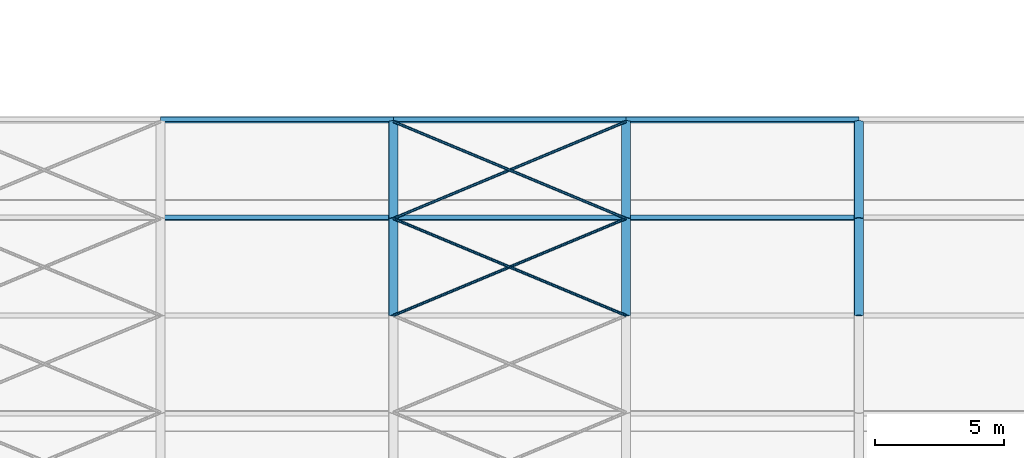
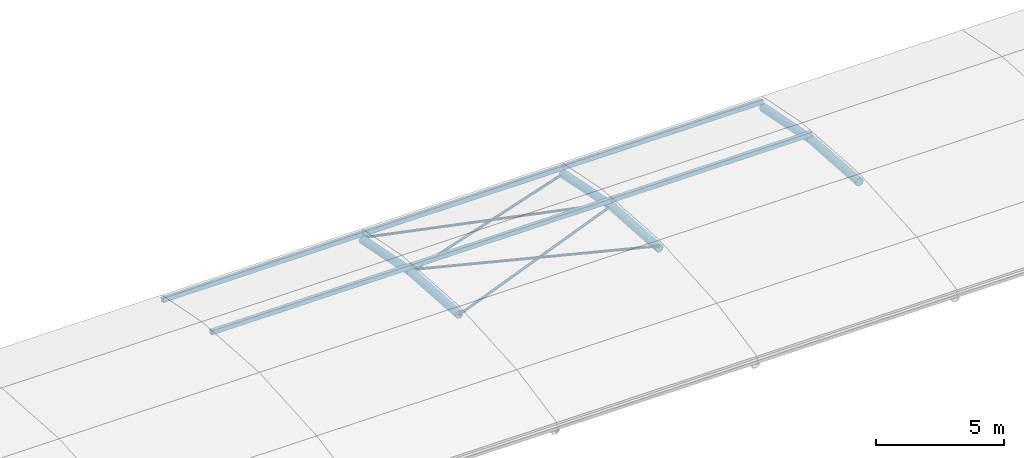
# One storey, part 8 of 43: 16 members.
"""IFC4 building model written with IfcOpenShell, lengths in metres."""

from ifc_helpers import new_model, si_unit, direction, frame, origin, origin_2d, place, context, subcontext, project, spatial, hollow_rectangle, hollow_circle, extrude, material, material_profile, profile_set, type_object, element, save


model = new_model("IFC4")

# Units and contexts
model_context = context("Model", 3, precision=1e-05, world=origin(), true_north=direction((0.0, 1.0)))
body_context = subcontext(model_context, "Body", "Model", "MODEL_VIEW")
ifc_project = project(units=[si_unit("LENGTHUNIT", "METRE"), si_unit("AREAUNIT", "SQUARE_METRE"), si_unit("VOLUMEUNIT", "CUBIC_METRE"), si_unit("PLANEANGLEUNIT", "RADIAN"), si_unit("MASSUNIT", "GRAM", prefix="KILO")], contexts=[model_context])

# Site, building, storey
site_placement = place(None, origin())
site = spatial("IfcSite", under=ifc_project, at=site_placement, CompositionType="ELEMENT")
building_placement = place(site_placement, origin())
building = spatial("IfcBuilding", under=site, at=building_placement, Name="Baradari Gate Terminus", CompositionType="ELEMENT")
storey_placement = place(building_placement, frame((0.0, 0.0, 20.10009765625)))
storey = spatial("IfcBuildingStorey", under=building, at=storey_placement, Name="L04", CompositionType="ELEMENT", Elevation=20.10009765625)

# Members
ifc_material_1 = material(Name="Steel S355", Category="steel")
ifc_material_profile_1 = material_profile(ifc_material_1, hollow_rectangle(XDim=0.199951171875, YDim=0.199951171875, WallThickness=0.008056640625, InnerFilletRadius=0.008056640625, OuterFilletRadius=0.01611328125, at=origin_2d()), Name="SHS 200x200x8")
ifc_profile_set_1 = profile_set([ifc_material_profile_1], Name="Steel S355")
member_type_1 = type_object("IfcMemberType", Name="Shed purlin SHS 200x200x8", PredefinedType="PURLIN", material=ifc_profile_set_1)
for number, where, z_axis, x_axis, name in (
    (1, (108.0, 62.284912109375, 0.75), (1.0, 0.0, 0.0), (0.0, 0.99130302961, -0.131599025396), "TR/L04/B117-PU07"),
    (2, (108.0, 66.068115234375, -0.006591796875), (1.0, 0.0, 0.0), (0.0, 0.966499648767, -0.256667935149), "TR/L04/B117-PU08"),
    (3, (117.0, 62.284912109375, 0.75), (1.0, 0.0, 0.0), (0.0, 0.99130302961, -0.131599025396), "TR/L04/B126-PU07"),
    (4, (117.0, 66.068115234375, -0.006591796875), (1.0, 0.0, 0.0), (0.0, 0.966499648767, -0.256667935149), "TR/L04/B126-PU08"),
    (5, (126.0, 62.284912109375, 0.75), (1.0, 0.0, 0.0), (0.0, 0.99130302961, -0.131599025396), "TR/L04/B135-PU07"),
    (6, (126.0, 66.068115234375, -0.006591796875), (1.0, 0.0, 0.0), (0.0, 0.966499648767, -0.256667935149), "TR/L04/B135-PU08"),
):
    element("IfcMember", number, at=place(storey_placement, frame(where, z_axis=z_axis, x_axis=x_axis)), inside=storey, type_object=member_type_1, Name=name, PredefinedType="PURLIN", context=body_context, shape_type="SweptSolid", body=[
        extrude(hollow_rectangle(XDim=0.199951171875, YDim=0.199951171875, WallThickness=0.008056640625, InnerFilletRadius=0.008056640625, OuterFilletRadius=0.01611328125, at=origin_2d()), origin(), (0.0, 0.0, 1.0), 9.0),
    ])
ifc_material_2 = material(Name="Steel S355", Category="steel")
ifc_material_profile_2 = material_profile(ifc_material_2, hollow_circle(Radius=0.05712890625, WallThickness=0.00634765625, at=origin_2d()), Name="CHS 114.3x6.3")
ifc_profile_set_2 = profile_set([ifc_material_profile_2], Name="Steel S355")
member_type_2 = type_object("IfcMemberType", Name="Shed roof brace CHS 114.3x6.3", PredefinedType="BRACE", material=ifc_profile_set_2)
for number, where, z_axis, x_axis, name in (
    (7, (117.0, 58.5, 0.736328125), (0.922773628532, 0.384489011888, -0.025632600793), (-0.384615384615, 0.923076923077, 0.0), "TR/L04/B126-RB06A"),
    (8, (126.0, 58.5, 0.8505859375), (-0.922773628532, 0.384489011888, -0.025632600793), (-0.384615384615, -0.923076923077, 0.0), "TR/L04/B126-RB06B"),
):
    element("IfcMember", number, at=place(storey_placement, frame(where, z_axis=z_axis, x_axis=x_axis)), inside=storey, type_object=member_type_2, Name=name, PredefinedType="BRACE", context=body_context, shape_type="SweptSolid", body=[
        extrude(hollow_circle(Radius=0.05712890625, WallThickness=0.00634765625, at=origin_2d()), origin(), (0.0, 0.0, 1.0), 9.753173828125),
    ])
for number, where, z_axis, x_axis, name in (
    (9, (117.0, 62.25, 0.486328125), (0.920357986617, 0.383482494424, -0.076696498885), (-0.384615384615, 0.923076923077, 0.0), "TR/L04/B126-RB07A"),
    (10, (126.0, 62.25, 0.6005859375), (-0.920357986617, 0.383482494424, -0.076696498885), (-0.384615384615, -0.923076923077, 0.0), "TR/L04/B126-RB07B"),
):
    element("IfcMember", number, at=place(storey_placement, frame(where, z_axis=z_axis, x_axis=x_axis)), inside=storey, type_object=member_type_2, Name=name, PredefinedType="BRACE", context=body_context, shape_type="SweptSolid", body=[
        extrude(hollow_circle(Radius=0.05712890625, WallThickness=0.00634765625, at=origin_2d()), origin(), (0.0, 0.0, 1.0), 9.77880859375),
    ])
ifc_material_3 = material(Name="Steel S355", Category="steel")
ifc_material_profile_3 = material_profile(ifc_material_3, hollow_circle(Radius=0.177734375, WallThickness=0.01611328125, at=origin_2d()), Name="CHS 355.6x16")
ifc_profile_set_3 = profile_set([ifc_material_profile_3], Name="Steel S355")
member_type_3 = type_object("IfcMemberType", Name="Shed top chord CHS 355.6x16", PredefinedType="CHORD", material=ifc_profile_set_3)
member_1_placement = place(storey_placement, frame((117.0, 58.5, 0.736328125), z_axis=(0.0, 0.997785157857, -0.066519010524), x_axis=(-1.0, 0.0, 0.0)))
element("IfcMember", 11, at=member_1_placement, inside=storey, type_object=member_type_3, Name="TR/L04/S117-TC06", PredefinedType="CHORD", context=body_context, shape_type="SweptSolid", body=[
    extrude(hollow_circle(Radius=0.177734375, WallThickness=0.01611328125, at=origin_2d()), origin(), (0.0, 0.0, 1.0), 3.75830078125),
])
member_2_placement = place(storey_placement, frame((117.0, 62.25, 0.486328125), z_axis=(0.0, 0.980580675691, -0.196116135138), x_axis=(-1.0, 0.0, 0.0)))
element("IfcMember", 12, at=member_2_placement, inside=storey, type_object=member_type_3, Name="TR/L04/S117-TC07", PredefinedType="CHORD", context=body_context, shape_type="SweptSolid", body=[
    extrude(hollow_circle(Radius=0.177734375, WallThickness=0.01611328125, at=origin_2d()), origin(), (0.0, 0.0, 1.0), 3.82421875),
])
member_3_placement = place(storey_placement, frame((126.0, 58.5, 0.736328125), z_axis=(0.0, 0.997785157857, -0.066519010524), x_axis=(-1.0, 0.0, 0.0)))
element("IfcMember", 13, at=member_3_placement, inside=storey, type_object=member_type_3, Name="TR/L04/S126-TC06", PredefinedType="CHORD", context=body_context, shape_type="SweptSolid", body=[
    extrude(hollow_circle(Radius=0.177734375, WallThickness=0.01611328125, at=origin_2d()), origin(), (0.0, 0.0, 1.0), 3.75830078125),
])
member_4_placement = place(storey_placement, frame((126.0, 62.25, 0.486328125), z_axis=(0.0, 0.980580675691, -0.196116135138), x_axis=(-1.0, 0.0, 0.0)))
element("IfcMember", 14, at=member_4_placement, inside=storey, type_object=member_type_3, Name="TR/L04/S126-TC07", PredefinedType="CHORD", context=body_context, shape_type="SweptSolid", body=[
    extrude(hollow_circle(Radius=0.177734375, WallThickness=0.01611328125, at=origin_2d()), origin(), (0.0, 0.0, 1.0), 3.82421875),
])
member_5_placement = place(storey_placement, frame((135.0, 58.5, 0.736328125), z_axis=(0.0, 0.997785157857, -0.066519010524), x_axis=(-1.0, 0.0, 0.0)))
element("IfcMember", 15, at=member_5_placement, inside=storey, type_object=member_type_3, Name="TR/L04/S135-TC06", PredefinedType="CHORD", context=body_context, shape_type="SweptSolid", body=[
    extrude(hollow_circle(Radius=0.177734375, WallThickness=0.01611328125, at=origin_2d()), origin(), (0.0, 0.0, 1.0), 3.75830078125),
])
member_6_placement = place(storey_placement, frame((135.0, 62.25, 0.486328125), z_axis=(0.0, 0.980580675691, -0.196116135138), x_axis=(-1.0, 0.0, 0.0)))
element("IfcMember", 16, at=member_6_placement, inside=storey, type_object=member_type_3, Name="TR/L04/S135-TC07", PredefinedType="CHORD", context=body_context, shape_type="SweptSolid", body=[
    extrude(hollow_circle(Radius=0.177734375, WallThickness=0.01611328125, at=origin_2d()), origin(), (0.0, 0.0, 1.0), 3.82421875),
])

save(model, "model.ifc")
